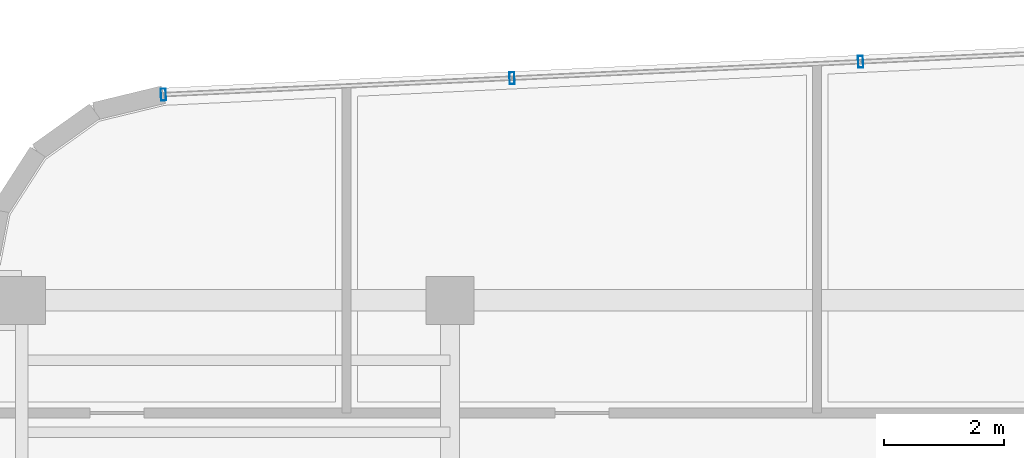
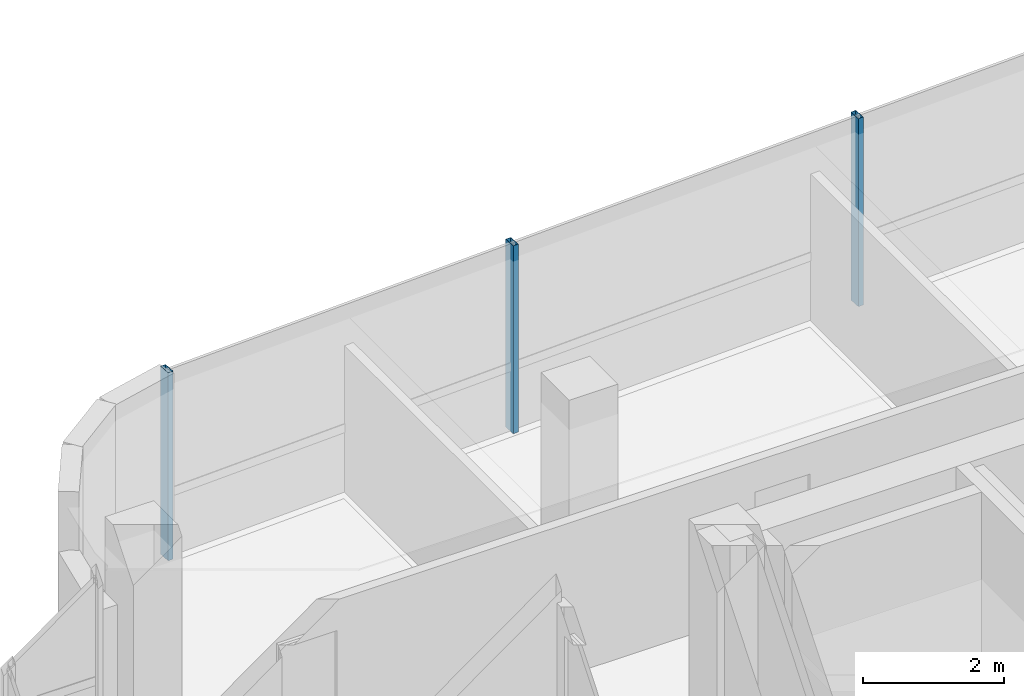
# One storey, part 12 of 21: 3 members, 1 element without a shape of its own.
"""IFC4 building model written with IfcOpenShell, lengths in metres."""

from ifc_helpers import new_model, si_unit, direction, frame, origin, origin_2d, place, context, subcontext, project, spatial, hollow_rectangle, extrude, source, transform, mapped, material, material_profile, profile_set, type_object, element, aggregate, save


model = new_model("IFC4")

# Units and contexts
model_context = context("Model", 3, precision=1e-05, world=origin(), true_north=direction((0.0, 1.0)))
body_context = subcontext(model_context, "Body", "Model", "MODEL_VIEW")
ifc_project = project(units=[si_unit("LENGTHUNIT", "METRE"), si_unit("AREAUNIT", "SQUARE_METRE"), si_unit("VOLUMEUNIT", "CUBIC_METRE"), si_unit("PLANEANGLEUNIT", "RADIAN"), si_unit("MASSUNIT", "GRAM", prefix="KILO")], contexts=[model_context])

# Site, building, storey
site_placement = place(None, origin())
site = spatial("IfcSite", under=ifc_project, at=site_placement, CompositionType="ELEMENT")
building_placement = place(site_placement, origin())
building = spatial("IfcBuilding", under=site, at=building_placement, Name="Valdorenza Pilgrim Sanctuary Tower", CompositionType="ELEMENT")
storey_placement = place(building_placement, frame((0.0, 0.0, 254.5)))
storey = spatial("IfcBuildingStorey", under=building, at=storey_placement, Name="L66", CompositionType="ELEMENT", Elevation=254.5)

# Curtain wall, members
ifc_material_1 = material(Name="Curtain-wall IGU glazing", Category="glass")
curtain_wall_type = type_object("IfcCurtainWallType", Name="CW-SYS-02", PredefinedType="NOTDEFINED", material=ifc_material_1)
curtain_wall_placement = place(storey_placement, origin())
curtain_wall = element("IfcCurtainWall", 1, at=curtain_wall_placement, inside=storey, type_object=curtain_wall_type, Name="L66 Curtain Wall CW-L66-1-6", PredefinedType="NOTDEFINED")
ifc_material_2 = material(Name="Anodised aluminium AW-6060", Category="aluminium")
ifc_material_profile = material_profile(ifc_material_2, hollow_rectangle(XDim=0.0849609375, YDim=0.199951171875, WallThickness=0.0048828125, at=origin_2d()), Name="ALU-M 200x85x5")
ifc_profile_set = profile_set([ifc_material_profile], Name="Anodised aluminium AW-6060")
member_type = type_object("IfcMemberType", Name="CW-MUL-02", PredefinedType="MULLION", material=ifc_profile_set)
shared_shape = source(origin(), body_context, "Body", "SweptSolid", [
    extrude(hollow_rectangle(XDim=0.0849609375, YDim=0.199951171875, WallThickness=0.0048828125, at=origin_2d()), origin(), (0.0, 0.0, 1.0), 3.260009765625),
])
member_1_placement = place(storey_placement, frame((-27.43505859375, 18.234375, 0.0), z_axis=(0.0, 0.0, 1.0), x_axis=(0.998890696972, 0.047089016785, 0.0)))
member_1 = element("IfcMember", 2, at=member_1_placement, type_object=member_type, Name="CW-L66-1-6 Mullion 1", PredefinedType="MULLION", context=body_context, shape_type="MappedRepresentation", body=[
    mapped(shared_shape, transform((0.0, 0.0, 0.0), x_axis=(1.0, 0.0, 0.0), y_axis=(0.0, 1.0, 0.0), z_axis=(0.0, 0.0, 1.0), scale=1.0)),
])
member_2_placement = place(storey_placement, frame((-21.615478515625, 18.5087890625, 0.0), z_axis=(0.0, 0.0, 1.0), x_axis=(0.998890696972, 0.047089016785, 0.0)))
member_2 = element("IfcMember", 3, at=member_2_placement, type_object=member_type, Name="CW-L66-1-6 Mullion 2", PredefinedType="MULLION", context=body_context, shape_type="MappedRepresentation", body=[
    mapped(shared_shape, transform((0.0, 0.0, 0.0), x_axis=(1.0, 0.0, 0.0), y_axis=(0.0, 1.0, 0.0), z_axis=(0.0, 0.0, 1.0), scale=1.0)),
])
member_3_placement = place(storey_placement, frame((-15.7958984375, 18.782958984375, 0.0), z_axis=(0.0, 0.0, 1.0), x_axis=(0.998890696972, 0.047089016785, 0.0)))
member_3 = element("IfcMember", 4, at=member_3_placement, type_object=member_type, Name="CW-L66-1-6 Mullion 3", PredefinedType="MULLION", context=body_context, shape_type="MappedRepresentation", body=[
    mapped(shared_shape, transform((0.0, 0.0, 0.0), x_axis=(1.0, 0.0, 0.0), y_axis=(0.0, 1.0, 0.0), z_axis=(0.0, 0.0, 1.0), scale=1.0)),
])
aggregate(curtain_wall, [member_1, member_2, member_3])

save(model, "model.ifc")
